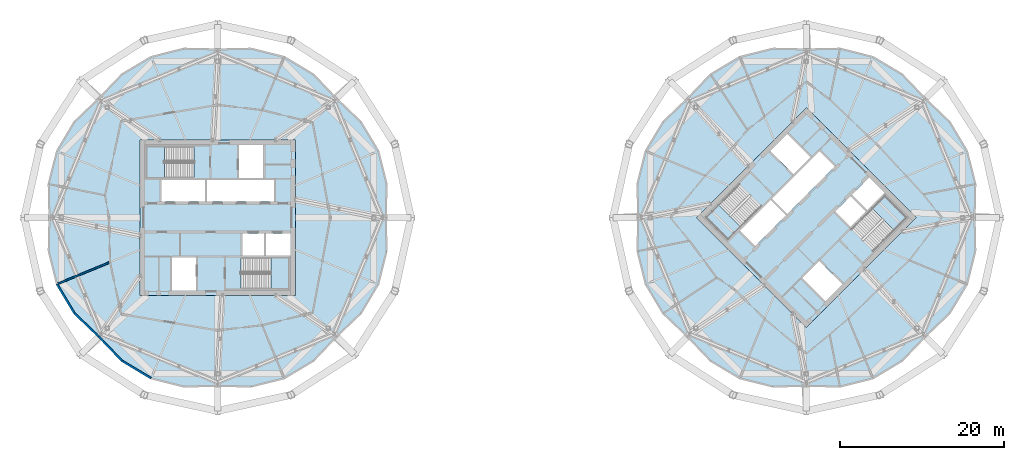
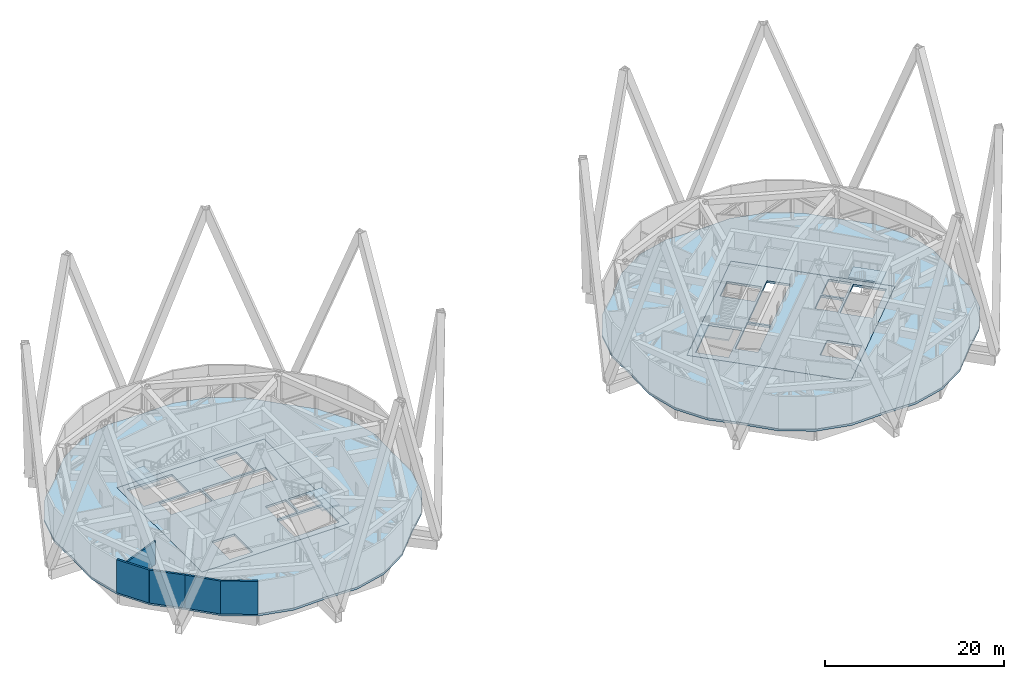
# One storey, part 11 of 19: 8 slabs, 5 walls, 4 elements without a shape of their own.
"""IFC4 building model written with IfcOpenShell, lengths in metres."""

from ifc_helpers import new_model, si_unit, direction, frame, frame_2d, origin, place, context, subcontext, project, spatial, polyline, rectangle, outline, extrude, material, layer, layer_set, type_object, element, aggregate, save


model = new_model("IFC4")

# Units and contexts
model_context = context("Model", 3, precision=1e-05, world=origin(), true_north=direction((0.0, 1.0)))
body_context = subcontext(model_context, "Body", "Model", "MODEL_VIEW")
ifc_project = project(units=[si_unit("LENGTHUNIT", "METRE"), si_unit("AREAUNIT", "SQUARE_METRE"), si_unit("VOLUMEUNIT", "CUBIC_METRE"), si_unit("PLANEANGLEUNIT", "RADIAN"), si_unit("MASSUNIT", "GRAM", prefix="KILO")], contexts=[model_context])

# Site, building, storey
site_placement = place(None, origin())
site = spatial("IfcSite", under=ifc_project, at=site_placement, CompositionType="ELEMENT")
building_placement = place(site_placement, origin())
building = spatial("IfcBuilding", under=site, at=building_placement, Name="Ogive Gate Towers", CompositionType="ELEMENT")
storey_placement = place(building_placement, frame((0.0, 0.0, 216.300048828125)))
storey = spatial("IfcBuildingStorey", under=building, at=storey_placement, Name="L52", CompositionType="ELEMENT", Elevation=216.300048828125)

# Slabs
ifc_material_1 = material(Name="Concrete C40/50", Category="concrete")
ifc_layer_1 = layer(ifc_material_1, 0.300048828125)
ifc_layer_set_1 = layer_set([ifc_layer_1], Name="Core slab C40/50 300 mm")
slab_type_1 = type_object("IfcSlabType", Name="Core slab C40/50 300 mm", PredefinedType="FLOOR", material=ifc_layer_set_1)
slab_1_placement = place(storey_placement, frame((0.0, 0.0, -0.300048828125)))
element("IfcSlab", 1, at=slab_1_placement, inside=storey, type_object=slab_type_1, Name="T1 L52 core slab", PredefinedType="FLOOR", context=body_context, shape_type="SweptSolid", body=[
    extrude(outline(polyline([(-45.5, -9.5), (-45.5, 9.5), (-26.5, 9.5), (-26.5, -9.5), (-45.5, -9.5)]), holes=[polyline([(-42.875, 1.949951171875), (-37.574951171875, 1.949951171875), (-37.574951171875, 4.625), (-42.875, 4.625), (-42.875, 1.949951171875)]), polyline([(-37.324951171875, 4.625), (-37.324951171875, 1.949951171875), (-29.125, 1.949951171875), (-29.125, 4.625), (-37.324951171875, 4.625)]), polyline([(-30.324951171875, -1.949951171875), (-32.97509765625, -1.949951171875), (-32.97509765625, -4.625), (-30.324951171875, -4.625), (-30.324951171875, -1.949951171875)]), polyline([(-27.10009765625, -4.625), (-27.10009765625, -1.949951171875), (-30.074951171875, -1.949951171875), (-30.074951171875, -4.625), (-27.10009765625, -4.625)]), polyline([(-33.375, 4.875), (-30.425048828125, 4.875), (-30.425048828125, 8.89990234375), (-33.375, 8.89990234375), (-33.375, 4.875)]), polyline([(-41.574951171875, -4.875), (-41.574951171875, -8.89990234375), (-38.625, -8.89990234375), (-38.625, -4.875), (-41.574951171875, -4.875)]), polyline([(-44.699951171875, 4.875), (-38.885009765625, 4.875), (-38.885009765625, 8.699951171875), (-44.699951171875, 8.699951171875), (-44.699951171875, 4.875)]), polyline([(-27.300048828125, -8.699951171875), (-27.300048828125, -4.875), (-33.114990234375, -4.875), (-33.114990234375, -8.699951171875), (-27.300048828125, -8.699951171875)])]), origin(), (0.0, 0.0, 1.0), 0.300048828125),
])
slab_2_placement = place(storey_placement, frame((0.0, 0.0, -0.300048828125)))
element("IfcSlab", 2, at=slab_2_placement, inside=storey, type_object=slab_type_1, Name="T2 L52 core slab", PredefinedType="FLOOR", context=body_context, shape_type="SweptSolid", body=[
    extrude(outline(polyline([(36.0, -13.43505859375), (22.56494140625, 0.0), (36.0, 13.43505859375), (49.43505859375, 0.0), (36.0, -13.43505859375)]), holes=[polyline([(29.759765625, -3.482421875), (33.50732421875, 0.26513671875), (31.615966796875, 2.15673828125), (27.868408203125, -1.591064453125), (29.759765625, -3.482421875)]), polyline([(31.792724609375, 2.33349609375), (33.68408203125, 0.44189453125), (39.482421875, 6.240234375), (37.591064453125, 8.131591796875), (31.792724609375, 2.33349609375)]), polyline([(41.3916015625, 2.634033203125), (39.517822265625, 0.760009765625), (41.409423828125, -1.13134765625), (43.283203125, 0.742431640625), (41.3916015625, 2.634033203125)]), polyline([(45.563720703125, 3.02294921875), (43.672119140625, 4.914306640625), (41.568603515625, 2.810791015625), (43.4599609375, 0.919189453125), (45.563720703125, 3.02294921875)]), polyline([(34.408935546875, 5.30322265625), (36.4951171875, 7.389404296875), (33.64892578125, 10.2353515625), (31.56298828125, 8.1494140625), (34.408935546875, 5.30322265625)]), polyline([(35.5048828125, -7.389404296875), (38.35107421875, -10.2353515625), (40.43701171875, -8.1494140625), (37.591064453125, -5.30322265625), (35.5048828125, -7.389404296875)]), polyline([(26.40087890625, -2.70458984375), (30.512939453125, 1.406982421875), (27.80810546875, 4.11181640625), (23.6962890625, 0.0), (26.40087890625, -2.70458984375)]), polyline([(48.3037109375, 0.0), (45.59912109375, 2.70458984375), (41.487060546875, -1.406982421875), (44.19189453125, -4.11181640625), (48.3037109375, 0.0)])]), origin(), (0.0, 0.0, 1.0), 0.300048828125),
])
ifc_material_2 = material(Name="Concrete C35/45", Category="concrete")
ifc_layer_2 = layer(ifc_material_2, 0.300048828125)
ifc_layer_set_2 = layer_set([ifc_layer_2], Name="Floor slab 300")
slab_type_2 = type_object("IfcSlabType", Name="Floor slab 300", PredefinedType="FLOOR", material=ifc_layer_set_2)
slab_3_placement = place(storey_placement, frame((0.0, 0.0, -0.300048828125)))
element("IfcSlab", 3, at=slab_3_placement, inside=storey, type_object=slab_type_2, Name="T1/L52/SSL001", PredefinedType="FLOOR", context=body_context, shape_type="SweptSolid", body=[
    extrude(outline(polyline([(-15.315185546875, -4.114501953125), (-15.409912109375, 0.0), (-15.315185546875, 4.114501953125), (-16.33056640625, 8.147216796875), (-18.46435546875, 11.717041015625), (-21.440673828125, 14.559326171875), (-24.282958984375, 17.53564453125), (-27.852783203125, 19.66943359375), (-31.885498046875, 20.684814453125), (-36.0, 20.590087890625), (-40.114501953125, 20.684814453125), (-44.147216796875, 19.66943359375), (-47.717041015625, 17.53564453125), (-50.559326171875, 14.559326171875), (-53.53564453125, 11.717041015625), (-55.66943359375, 8.147216796875), (-56.684814453125, 4.114501953125), (-56.590087890625, 0.0), (-56.684814453125, -4.114501953125), (-55.66943359375, -8.147216796875), (-53.53564453125, -11.717041015625), (-50.559326171875, -14.559326171875), (-47.717041015625, -17.53564453125), (-44.147216796875, -19.66943359375), (-40.114501953125, -20.684814453125), (-36.0, -20.590087890625), (-31.885498046875, -20.684814453125), (-27.852783203125, -19.66943359375), (-24.282958984375, -17.53564453125), (-21.440673828125, -14.559326171875), (-18.46435546875, -11.717041015625), (-16.33056640625, -8.147216796875), (-15.315185546875, -4.114501953125)]), holes=[polyline([(-26.5, -9.5), (-45.5, -9.5), (-45.5, 9.5), (-26.5, 9.5), (-26.5, -9.5)])]), origin(), (0.0, 0.0, 1.0), 0.300048828125),
])
slab_4_placement = place(storey_placement, frame((0.0, 0.0, -0.300048828125)))
element("IfcSlab", 4, at=slab_4_placement, inside=storey, type_object=slab_type_2, Name="T2/L52/SSL001", PredefinedType="FLOOR", context=body_context, shape_type="SweptSolid", body=[
    extrude(outline(polyline([(56.684814453125, -4.114501953125), (56.590087890625, 0.0), (56.684814453125, 4.114501953125), (55.66943359375, 8.147216796875), (53.53564453125, 11.717041015625), (50.559326171875, 14.559326171875), (47.717041015625, 17.53564453125), (44.147216796875, 19.66943359375), (40.114501953125, 20.684814453125), (36.0, 20.590087890625), (31.885498046875, 20.684814453125), (27.852783203125, 19.66943359375), (24.282958984375, 17.53564453125), (21.440673828125, 14.559326171875), (18.46435546875, 11.717041015625), (16.33056640625, 8.147216796875), (15.315185546875, 4.114501953125), (15.409912109375, 0.0), (15.315185546875, -4.114501953125), (16.33056640625, -8.147216796875), (18.46435546875, -11.717041015625), (21.440673828125, -14.559326171875), (24.282958984375, -17.53564453125), (27.852783203125, -19.66943359375), (31.885498046875, -20.684814453125), (36.0, -20.590087890625), (40.114501953125, -20.684814453125), (44.147216796875, -19.66943359375), (47.717041015625, -17.53564453125), (50.559326171875, -14.559326171875), (53.53564453125, -11.717041015625), (55.66943359375, -8.147216796875), (56.684814453125, -4.114501953125)]), holes=[polyline([(49.43505859375, 0.0), (36.0, -13.43505859375), (22.56494140625, 0.0), (36.0, 13.43505859375), (49.43505859375, 0.0)])]), origin(), (0.0, 0.0, 1.0), 0.300048828125),
])

# Stair, slab
stair_type = type_object("IfcStairType", Name="Escape stair 1840 wide", PredefinedType="HALF_TURN_STAIR", material=ifc_material_1)
stair_1_placement = place(storey_placement, origin())
stair_1 = element("IfcStair", 5, at=stair_1_placement, inside=storey, type_object=stair_type, Name="L52 Escape stair 1", PredefinedType="HALF_TURN_STAIR")
ifc_layer_3 = layer(ifc_material_1, 0.199951171875)
ifc_layer_set_3 = layer_set([ifc_layer_3], Name="Stair landing 200 mm")
slab_type_3 = type_object("IfcSlabType", Name="Stair landing 200 mm", PredefinedType="LANDING", material=ifc_layer_set_3)
slab_5_placement = place(storey_placement, frame((0.0, 0.0, 2.199951171875)))
slab_5 = element("IfcSlab", 6, at=slab_5_placement, type_object=slab_type_3, Name="ST1 landing 1", PredefinedType="LANDING", context=body_context, shape_type="SweptSolid", body=[
    extrude(outline(polyline([(-42.5048828125, 8.699951171875), (-44.699951171875, 8.699951171875), (-44.699951171875, 4.875), (-42.5048828125, 4.875), (-42.5048828125, 8.699951171875)])), origin(), (0.0, 0.0, 1.0), 0.199951171875),
])
aggregate(stair_1, [slab_5])

stair_2_placement = place(storey_placement, origin())
stair_2 = element("IfcStair", 7, at=stair_2_placement, inside=storey, type_object=stair_type, Name="L52 Escape stair 2", PredefinedType="HALF_TURN_STAIR")
slab_6_placement = place(storey_placement, frame((0.0, 0.0, 2.199951171875)))
slab_6 = element("IfcSlab", 8, at=slab_6_placement, type_object=slab_type_3, Name="ST2 landing 1", PredefinedType="LANDING", context=body_context, shape_type="SweptSolid", body=[
    extrude(outline(polyline([(-29.4951171875, -8.699951171875), (-27.300048828125, -8.699951171875), (-27.300048828125, -4.875), (-29.4951171875, -4.875), (-29.4951171875, -8.699951171875)])), origin(), (0.0, 0.0, 1.0), 0.199951171875),
])
aggregate(stair_2, [slab_6])

stair_3_placement = place(storey_placement, origin())
stair_3 = element("IfcStair", 9, at=stair_3_placement, inside=storey, type_object=stair_type, Name="L52 Escape stair 1", PredefinedType="HALF_TURN_STAIR")
slab_7_placement = place(storey_placement, frame((0.0, 0.0, 2.199951171875)))
slab_7 = element("IfcSlab", 10, at=slab_7_placement, type_object=slab_type_3, Name="ST1 landing 1", PredefinedType="LANDING", context=body_context, shape_type="SweptSolid", body=[
    extrude(outline(polyline([(25.24853515625, 1.552001953125), (23.6962890625, 0.0), (26.401123046875, -2.70458984375), (27.953125, -1.152587890625), (25.24853515625, 1.552001953125)])), origin(), (0.0, 0.0, 1.0), 0.199951171875),
])
aggregate(stair_3, [slab_7])

stair_4_placement = place(storey_placement, origin())
stair_4 = element("IfcStair", 11, at=stair_4_placement, inside=storey, type_object=stair_type, Name="L52 Escape stair 2", PredefinedType="HALF_TURN_STAIR")
slab_8_placement = place(storey_placement, frame((0.0, 0.0, 2.199951171875)))
slab_8 = element("IfcSlab", 12, at=slab_8_placement, type_object=slab_type_3, Name="ST2 landing 1", PredefinedType="LANDING", context=body_context, shape_type="SweptSolid", body=[
    extrude(outline(polyline([(46.75146484375, -1.552001953125), (48.3037109375, 0.0), (45.598876953125, 2.70458984375), (44.046875, 1.152587890625), (46.75146484375, -1.552001953125)])), origin(), (0.0, 0.0, 1.0), 0.199951171875),
])
aggregate(stair_4, [slab_8])

# Walls
ifc_material_3 = material(Name="Fire-rated block compartment wall")
ifc_layer_4 = layer(ifc_material_3, 0.199951171875)
ifc_layer_set_4 = layer_set([ifc_layer_4], Name="Compartment wall 200")
wall_type_1 = type_object("IfcWallType", Name="Compartment wall 200", PredefinedType="PARTITIONING", material=ifc_layer_set_4)
wall_1_placement = place(storey_placement, frame((-55.66943359375, -8.147216796875, 0.0), z_axis=(0.0, 0.0, 1.0), x_axis=(0.923881517938, 0.382678639085, 0.0)))
element("IfcWall", 13, at=wall_1_placement, inside=storey, type_object=wall_type_1, Name="Partition T1-L52-003", PredefinedType="PARTITIONING", context=body_context, shape_type="SweptSolid", body=[
    extrude(rectangle(XDim=6.948974609375, YDim=0.199951171875, at=frame_2d((3.474609375, 0.0))), origin(), (0.0, 0.0, 1.0), 3.199951171875),
])
ifc_material_4 = material(Name="Pale metal aluminium louvre", Category="aluminium")
ifc_layer_5 = layer(ifc_material_4, 0.25)
ifc_layer_set_5 = layer_set([ifc_layer_5], Name="Plant louvre wall")
wall_type_2 = type_object("IfcWallType", Name="Plant louvre wall", PredefinedType="SOLIDWALL", material=ifc_layer_set_5)
wall_2_placement = place(storey_placement, frame((-55.64599609375, -8.1376953125, 0.0), z_axis=(0.0, 0.0, 1.0), x_axis=(0.513042110204, -0.858363438852, 0.0)))
element("IfcWall", 14, at=wall_2_placement, inside=storey, type_object=wall_type_2, Name="Plant louvre wall", PredefinedType="SOLIDWALL", context=body_context, shape_type="SweptSolid", body=[
    extrude(rectangle(XDim=4.1513671875, YDim=0.25, at=frame_2d((2.07568359375, 0.0))), origin(), (0.0, 0.0, 1.0), 4.5),
])
for number, where, z_axis, x_axis, name in (
    (15, (-53.51611328125, -11.701171875, 0.0), (0.0, 0.0, 1.0), (0.723242333283, -0.690594329072, 0.0), "Plant louvre wall"),
    (16, (-50.54150390625, -14.54150390625, 0.0), (0.0, 0.0, 1.0), (0.690594329072, -0.723242333283, 0.0), "Plant louvre wall"),
):
    element("IfcWall", number, at=place(storey_placement, frame(where, z_axis=z_axis, x_axis=x_axis)), inside=storey, type_object=wall_type_2, Name=name, PredefinedType="SOLIDWALL", context=body_context, shape_type="SweptSolid", body=[
        extrude(rectangle(XDim=4.11279296875, YDim=0.25, at=frame_2d((2.056396484375, 0.0))), origin(), (0.0, 0.0, 1.0), 4.5),
    ])
wall_3_placement = place(storey_placement, frame((-47.701171875, -17.51611328125, 0.0), z_axis=(0.0, 0.0, 1.0), x_axis=(0.858363438852, -0.513042110204, 0.0)))
element("IfcWall", 17, at=wall_3_placement, inside=storey, type_object=wall_type_2, Name="Plant louvre wall", PredefinedType="SOLIDWALL", context=body_context, shape_type="SweptSolid", body=[
    extrude(rectangle(XDim=4.1513671875, YDim=0.25, at=frame_2d((2.07568359375, 0.0))), origin(), (0.0, 0.0, 1.0), 4.5),
])

save(model, "model.ifc")
